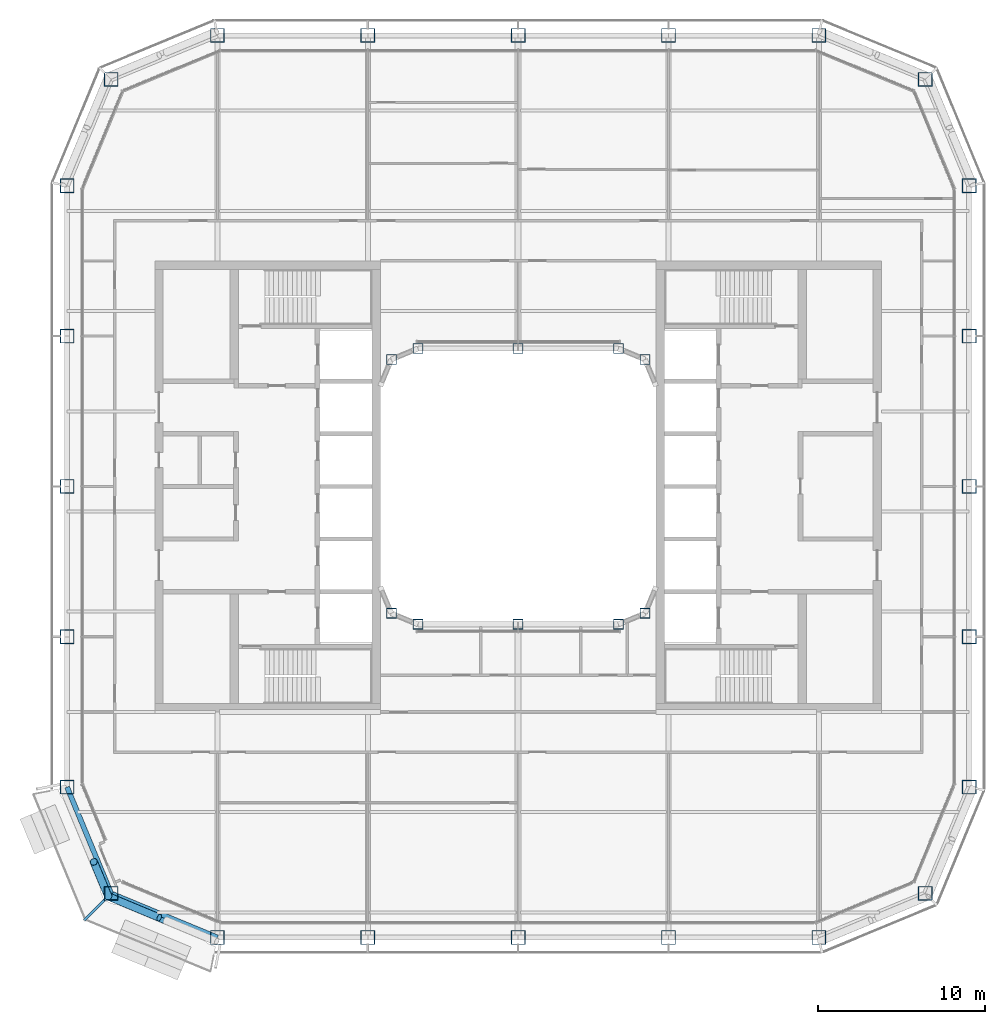
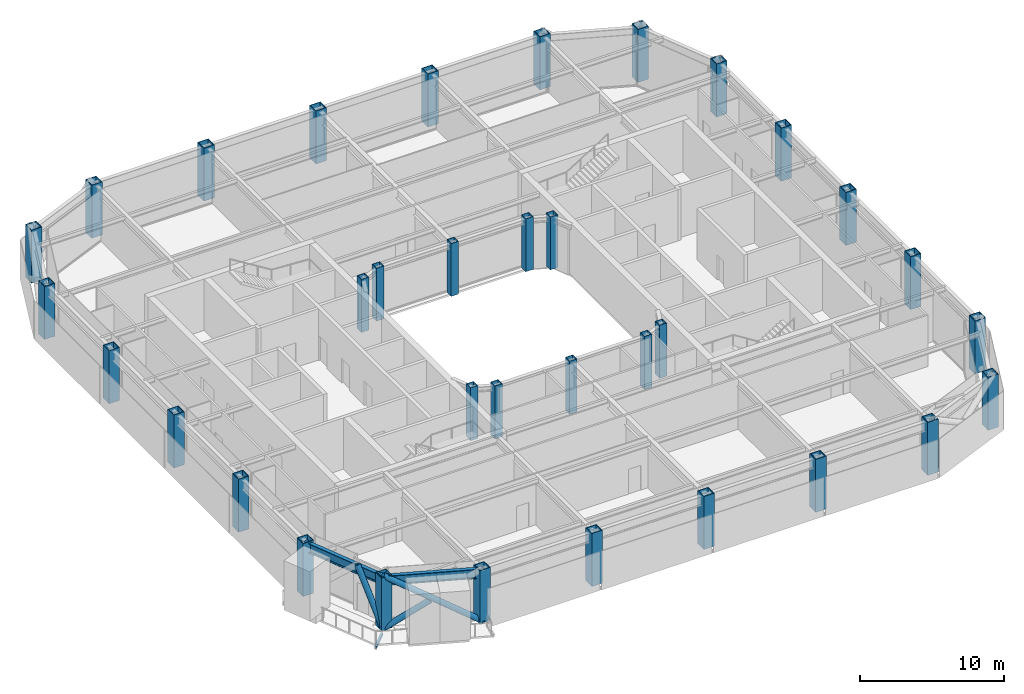
# One storey, part 1 of 24: 34 columns, 3 beams, 3 members.
"""IFC4 building model written with IfcOpenShell, lengths in metres."""

from ifc_helpers import new_model, si_unit, direction, frame, origin, origin_2d, place, context, subcontext, project, spatial, hollow_rectangle, hollow_circle, i_section, extrude, material, material_profile, profile_set, type_object, element, save


model = new_model("IFC4")

# Units and contexts
model_context = context("Model", 3, precision=1e-05, world=origin(), true_north=direction((0.0, 1.0)))
body_context = subcontext(model_context, "Body", "Model", "MODEL_VIEW")
ifc_project = project(units=[si_unit("LENGTHUNIT", "METRE"), si_unit("AREAUNIT", "SQUARE_METRE"), si_unit("VOLUMEUNIT", "CUBIC_METRE"), si_unit("PLANEANGLEUNIT", "RADIAN"), si_unit("MASSUNIT", "GRAM", prefix="KILO")], contexts=[model_context])

# Site, building, storey
site_placement = place(None, origin())
site = spatial("IfcSite", under=ifc_project, at=site_placement, CompositionType="ELEMENT")
building_placement = place(site_placement, origin())
building = spatial("IfcBuilding", under=site, at=building_placement, Name="Siwar Civic Tower", CompositionType="ELEMENT")
storey_placement = place(building_placement, frame((0.0, 0.0, 215.199951171875)))
storey = spatial("IfcBuildingStorey", under=building, at=storey_placement, Name="L46", CompositionType="ELEMENT", Elevation=215.199951171875)

# Columns
ifc_material_1 = material(Name="Steel S355", Category="steel")
ifc_material_profile_1 = material_profile(ifc_material_1, hollow_rectangle(XDim=0.85009765625, YDim=0.85009765625, WallThickness=0.050048828125, at=origin_2d()), Name="BOX850x850x50")
ifc_profile_set_1 = profile_set([ifc_material_profile_1], Name="Steel S355")
column_type_1 = type_object("IfcColumnType", Name="STR-COL-BOX850x850x50", PredefinedType="COLUMN", material=ifc_profile_set_1)
for number, where, z_axis, x_axis, name in (
    (1, (-18.0, -27.0, 0.0), (0.0, 0.0, 1.0), (1.0, 0.0, 0.0), "L46/col/S-0"),
    (2, (-9.0, -27.0, 0.0), (0.0, 0.0, 1.0), (1.0, 0.0, 0.0), "L46/col/S-1"),
    (3, (0.0, -27.0, 0.0), (0.0, 0.0, 1.0), (1.0, 0.0, 0.0), "L46/col/S-2"),
    (4, (9.0, -27.0, 0.0), (0.0, 0.0, 1.0), (1.0, 0.0, 0.0), "L46/col/S-3"),
    (5, (18.0, -27.0, 0.0), (0.0, 0.0, 1.0), (1.0, 0.0, 0.0), "L46/col/SE1-0"),
    (6, (24.364013671875, -24.364013671875, 0.0), (0.0, 0.0, 1.0), (1.0, 0.0, 0.0), "L46/col/SE2-0"),
    (7, (27.0, -18.0, 0.0), (0.0, 0.0, 1.0), (1.0, 0.0, 0.0), "L46/col/E-0"),
    (8, (27.0, -9.0, 0.0), (0.0, 0.0, 1.0), (1.0, 0.0, 0.0), "L46/col/E-1"),
    (9, (27.0, 0.0, 0.0), (0.0, 0.0, 1.0), (1.0, 0.0, 0.0), "L46/col/E-2"),
    (10, (27.0, 9.0, 0.0), (0.0, 0.0, 1.0), (1.0, 0.0, 0.0), "L46/col/E-3"),
    (11, (27.0, 18.0, 0.0), (0.0, 0.0, 1.0), (1.0, 0.0, 0.0), "L46/col/NE1-0"),
    (12, (24.364013671875, 24.364013671875, 0.0), (0.0, 0.0, 1.0), (1.0, 0.0, 0.0), "L46/col/NE2-0"),
    (13, (18.0, 27.0, 0.0), (0.0, 0.0, 1.0), (1.0, 0.0, 0.0), "L46/col/N-0"),
    (14, (9.0, 27.0, 0.0), (0.0, 0.0, 1.0), (1.0, 0.0, 0.0), "L46/col/N-1"),
    (15, (0.0, 27.0, 0.0), (0.0, 0.0, 1.0), (1.0, 0.0, 0.0), "L46/col/N-2"),
    (16, (-9.0, 27.0, 0.0), (0.0, 0.0, 1.0), (1.0, 0.0, 0.0), "L46/col/N-3"),
    (17, (-18.0, 27.0, 0.0), (0.0, 0.0, 1.0), (1.0, 0.0, 0.0), "L46/col/NW1-0"),
    (18, (-24.364013671875, 24.364013671875, 0.0), (0.0, 0.0, 1.0), (1.0, 0.0, 0.0), "L46/col/NW2-0"),
    (19, (-27.0, 18.0, 0.0), (0.0, 0.0, 1.0), (1.0, 0.0, 0.0), "L46/col/W-0"),
    (20, (-27.0, 9.0, 0.0), (0.0, 0.0, 1.0), (1.0, 0.0, 0.0), "L46/col/W-1"),
    (21, (-27.0, 0.0, 0.0), (0.0, 0.0, 1.0), (1.0, 0.0, 0.0), "L46/col/W-2"),
    (22, (-27.0, -9.0, 0.0), (0.0, 0.0, 1.0), (1.0, 0.0, 0.0), "L46/col/W-3"),
    (23, (-27.0, -18.0, 0.0), (0.0, 0.0, 1.0), (1.0, 0.0, 0.0), "L46/col/SW1-0"),
    (24, (-24.364013671875, -24.364013671875, 0.0), (0.0, 0.0, 1.0), (1.0, 0.0, 0.0), "L46/col/SW2-0"),
):
    element("IfcColumn", number, at=place(storey_placement, frame(where, z_axis=z_axis, x_axis=x_axis)), inside=storey, type_object=column_type_1, Name=name, PredefinedType="COLUMN", context=body_context, shape_type="SweptSolid", body=[
        extrude(hollow_rectangle(XDim=0.85009765625, YDim=0.85009765625, WallThickness=0.050048828125, at=origin_2d()), origin(), (0.0, 0.0, 1.0), 4.5),
    ])
ifc_material_2 = material(Name="Steel S355", Category="steel")
ifc_material_profile_2 = material_profile(ifc_material_2, hollow_rectangle(XDim=0.60009765625, YDim=0.60009765625, WallThickness=0.031982421875, at=origin_2d()), Name="BOX600x600x32")
ifc_profile_set_2 = profile_set([ifc_material_profile_2], Name="Steel S355")
column_type_2 = type_object("IfcColumnType", Name="STR-ICOL-BOX600x600x32", PredefinedType="COLUMN", material=ifc_profile_set_2)
for number, where, z_axis, x_axis, name in (
    (25, (-7.591064453125, -7.591064453125, 0.0), (0.0, 0.0, 1.0), (1.0, 0.0, 0.0), "L46/col/IS-0"),
    (26, (-6.0, -8.25, 0.0), (0.0, 0.0, 1.0), (1.0, 0.0, 0.0), "L46/col/IS-1"),
    (27, (0.0, -8.25, 0.0), (0.0, 0.0, 1.0), (1.0, 0.0, 0.0), "L46/col/IS-2"),
    (28, (6.0, -8.25, 0.0), (0.0, 0.0, 1.0), (1.0, 0.0, 0.0), "L46/col/IS-3"),
    (29, (7.591064453125, -7.591064453125, 0.0), (0.0, 0.0, 1.0), (1.0, 0.0, 0.0), "L46/col/IS-4"),
    (30, (-7.591064453125, 7.591064453125, 0.0), (0.0, 0.0, 1.0), (1.0, 0.0, 0.0), "L46/col/IN-0"),
    (31, (-6.0, 8.25, 0.0), (0.0, 0.0, 1.0), (1.0, 0.0, 0.0), "L46/col/IN-1"),
    (32, (0.0, 8.25, 0.0), (0.0, 0.0, 1.0), (1.0, 0.0, 0.0), "L46/col/IN-2"),
    (33, (6.0, 8.25, 0.0), (0.0, 0.0, 1.0), (1.0, 0.0, 0.0), "L46/col/IN-3"),
    (34, (7.591064453125, 7.591064453125, 0.0), (0.0, 0.0, 1.0), (1.0, 0.0, 0.0), "L46/col/IN-4"),
):
    element("IfcColumn", number, at=place(storey_placement, frame(where, z_axis=z_axis, x_axis=x_axis)), inside=storey, type_object=column_type_2, Name=name, PredefinedType="COLUMN", context=body_context, shape_type="SweptSolid", body=[
        extrude(hollow_rectangle(XDim=0.60009765625, YDim=0.60009765625, WallThickness=0.031982421875, at=origin_2d()), origin(), (0.0, 0.0, 1.0), 4.5),
    ])

# Beam
ifc_material_3 = material(Name="Steel S355", Category="steel")
ifc_material_profile_3 = material_profile(ifc_material_3, hollow_rectangle(XDim=0.14990234375, YDim=0.25, WallThickness=0.010009765625, at=origin_2d()), Name="RHS250x150x10")
ifc_profile_set_3 = profile_set([ifc_material_profile_3], Name="Steel S355")
beam_type_1 = type_object("IfcBeamType", Name="ENV-BALCONY ARM", PredefinedType="BEAM", material=ifc_profile_set_3)
beam_placement = place(storey_placement, frame((-24.753662109375, -24.753662109375, -0.27490234375), z_axis=(-0.707106781187, -0.707106781187, 0.0), x_axis=(0.707106781187, -0.707106781187, 0.0)))
element("IfcBeam", 35, at=beam_placement, inside=storey, type_object=beam_type_1, Name="Balcony cantilever beam SW 2", PredefinedType="BEAM", context=body_context, shape_type="SweptSolid", body=[
    extrude(hollow_rectangle(XDim=0.14990234375, YDim=0.25, WallThickness=0.010009765625, at=origin_2d()), origin(), (0.0, 0.0, 1.0), 1.721923828125),
])

# Members
ifc_material_4 = material(Name="Steel S355", Category="steel")
ifc_material_profile_4 = material_profile(ifc_material_4, hollow_circle(Radius=0.228515625, WallThickness=0.02001953125, at=origin_2d()), Name="CHS457x20")
ifc_profile_set_4 = profile_set([ifc_material_profile_4], Name="Steel S355")
member_type = type_object("IfcMemberType", Name="STR-BR-CHS457x20", PredefinedType="BRACE", material=ifc_profile_set_4)
member_1_placement = place(storey_placement, frame((-18.048828125, -27.2451171875, 0.0), z_axis=(-0.777554562952, 0.323905527954, 0.538975055633), x_axis=(-0.384538969033, -0.923108759191, 0.0)))
element("IfcMember", 36, at=member_1_placement, inside=storey, type_object=member_type, Name="L46/brc/CSW1-6-0-1", PredefinedType="BRACE", context=body_context, shape_type="SweptSolid", body=[
    extrude(hollow_circle(Radius=0.228515625, WallThickness=0.02001953125, at=origin_2d()), origin(), (0.0, 0.0, 1.0), 8.34912109375),
])
member_2_placement = place(storey_placement, frame((-24.540771484375, -24.540771484375, 0.0), z_axis=(0.777546448489, -0.323884455881, 0.538999424564), x_axis=(0.38452107079, 0.92311621485, 0.0)))
element("IfcMember", 37, at=member_2_placement, inside=storey, type_object=member_type, Name="L46/brc/CSW1-6-0-2", PredefinedType="BRACE", context=body_context, shape_type="SweptSolid", body=[
    extrude(hollow_circle(Radius=0.228515625, WallThickness=0.02001953125, at=origin_2d()), origin(), (0.0, 0.0, 1.0), 3.927978515625),
])
member_3_placement = place(storey_placement, frame((-24.540771484375, -24.540771484375, 0.0), z_axis=(-0.171426870802, 0.411570178484, 0.895110504993), x_axis=(-0.923125254544, -0.384499368559, 0.0)))
element("IfcMember", 38, at=member_3_placement, inside=storey, type_object=member_type, Name="L46/brc/CSW1-6-0-6", PredefinedType="BRACE", context=body_context, shape_type="SweptSolid", body=[
    extrude(hollow_circle(Radius=0.228515625, WallThickness=0.02001953125, at=origin_2d()), origin(), (0.0, 0.0, 1.0), 5.02734375),
])

# Beams
ifc_material_5 = material(Name="Steel S355", Category="steel")
ifc_material_profile_5 = material_profile(ifc_material_5, i_section(OverallWidth=0.300048828125, OverallDepth=0.800048828125, WebThickness=0.017578125, FlangeThickness=0.032958984375, FilletRadius=0.030029296875, at=origin_2d()), Name="HEB800")
ifc_profile_set_5 = profile_set([ifc_material_profile_5], Name="Steel S355")
beam_type_2 = type_object("IfcBeamType", Name="STR-SB-HEB800", PredefinedType="BEAM", material=ifc_profile_set_5)
for number, where, z_axis, x_axis, name in (
    (39, (-27.0, -18.0, 3.949951171875), (0.382674207535, -0.923883353507, 0.0), (0.923883353507, 0.382674207535, 0.0), "L46/bm/SSW1-0"),
    (40, (-24.364013671875, -24.364013671875, 3.949951171875), (0.923883353507, -0.382674207535, 0.0), (0.382674207535, 0.923883353507, 0.0), "L46/bm/SSW2-0"),
):
    element("IfcBeam", number, at=place(storey_placement, frame(where, z_axis=z_axis, x_axis=x_axis)), inside=storey, type_object=beam_type_2, Name=name, PredefinedType="BEAM", context=body_context, shape_type="SweptSolid", body=[
        extrude(i_section(OverallWidth=0.300048828125, OverallDepth=0.800048828125, WebThickness=0.017578125, FlangeThickness=0.032958984375, FilletRadius=0.030029296875, at=origin_2d()), origin(), (0.0, 0.0, 1.0), 6.888427734375),
    ])

save(model, "model.ifc")
